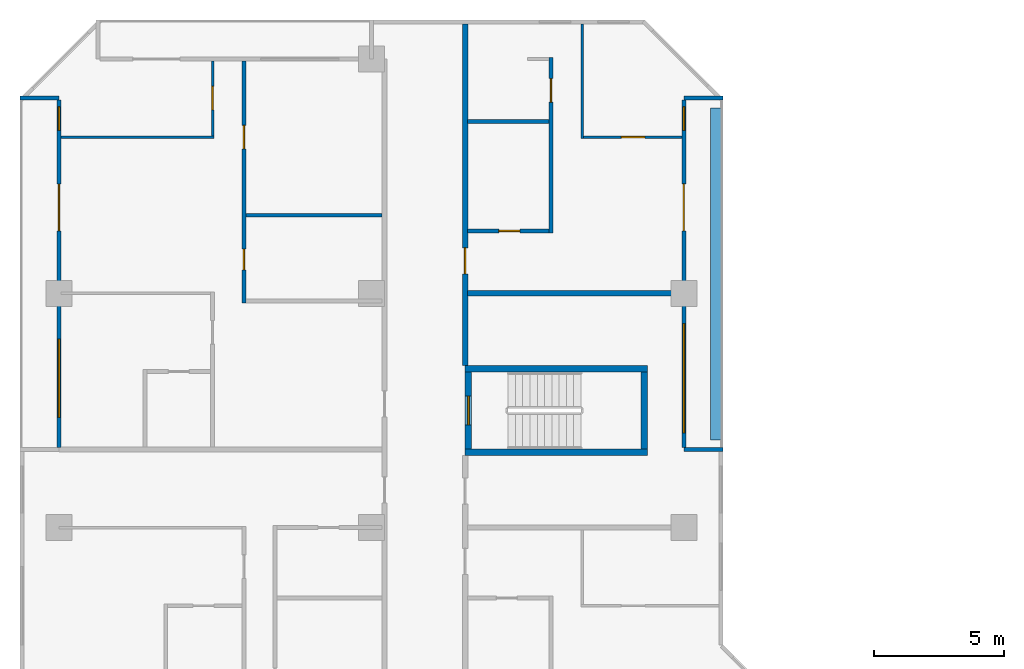
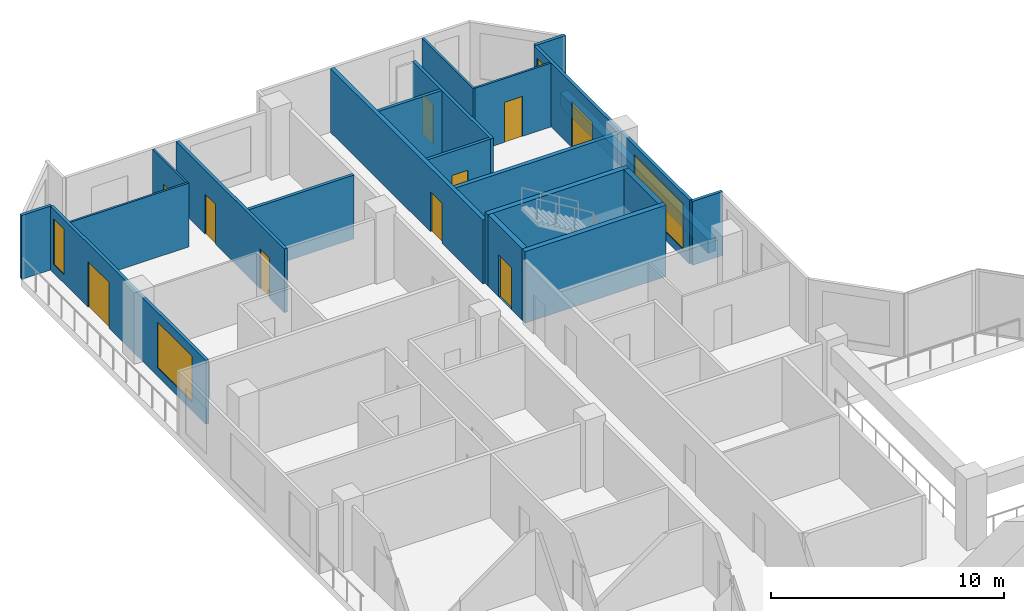
# One storey, part 10 of 14: 21 walls, 10 doors, 4 windows, 14 openings.
"""IFC4 building model written with IfcOpenShell, lengths in metres."""

from ifc_helpers import new_model, si_unit, direction, frame, frame_2d, origin, place, context, subcontext, project, spatial, rectangle, extrude, material, layer, layer_set, type_object, element, fill, save


model = new_model("IFC4")

# Units and contexts
model_context = context("Model", 3, precision=1e-05, world=origin(), true_north=direction((0.0, 1.0)))
body_context = subcontext(model_context, "Body", "Model", "MODEL_VIEW")
ifc_project = project(units=[si_unit("LENGTHUNIT", "METRE"), si_unit("AREAUNIT", "SQUARE_METRE"), si_unit("VOLUMEUNIT", "CUBIC_METRE"), si_unit("PLANEANGLEUNIT", "RADIAN"), si_unit("MASSUNIT", "GRAM", prefix="KILO")], contexts=[model_context])

# Site, building, storey
site_placement = place(None, origin())
site = spatial("IfcSite", under=ifc_project, at=site_placement, CompositionType="ELEMENT")
building_placement = place(site_placement, origin())
building = spatial("IfcBuilding", under=site, at=building_placement, Name="Chenar Terraces", CompositionType="ELEMENT")
storey_placement = place(building_placement, frame((0.0, 0.0, 110.64990234375)))
storey = spatial("IfcBuildingStorey", under=building, at=storey_placement, Name="L25", CompositionType="ELEMENT", Elevation=110.64990234375)

# Walls
ifc_material_1 = material(Name="Concrete C70/85", Category="concrete")
ifc_layer_1 = layer(ifc_material_1, 0.25)
ifc_layer_set_1 = layer_set([ifc_layer_1], Name="Concrete C70/85")
wall_type_1 = type_object("IfcWallType", Name="Core wall 250 Concrete C70/85", PredefinedType="SHEAR", material=ifc_layer_set_1)
for number, where, z_axis, x_axis, name in (
    (1, (15.60009765625, 47.89990234375, 0.0), (0.0, 0.0, 1.0), (1.0, 0.0, 0.0), "Core wall ST4_S L25"),
    (2, (15.60009765625, 51.10009765625, 0.0), (0.0, 0.0, 1.0), (1.0, 0.0, 0.0), "Core wall ST4_N L25"),
):
    element("IfcWall", number, at=place(storey_placement, frame(where, z_axis=z_axis, x_axis=x_axis)), inside=storey, type_object=wall_type_1, Name=name, PredefinedType="SHEAR", context=body_context, shape_type="SweptSolid", body=[
        extrude(rectangle(XDim=7.0, YDim=0.25, at=frame_2d((3.5, 0.0))), origin(), (0.0, 0.0, 1.0), 3.75),
    ])

# Wall, opening, door
wall_1_placement = place(storey_placement, frame((15.72509765625, 48.02490234375, 0.0), z_axis=(0.0, 0.0, 1.0), x_axis=(0.0, 1.0, 0.0)))
wall_1 = element("IfcWall", 3, at=wall_1_placement, inside=storey, type_object=wall_type_1, Name="Core wall ST4_W L25", PredefinedType="SHEAR", context=body_context, shape_type="SweptSolid", body=[
    extrude(rectangle(XDim=2.9501953125, YDim=0.25, at=frame_2d((1.47509765625, 0.0))), origin(), (0.0, 0.0, 1.0), 3.75),
])
opening_1_placement = place(wall_1_placement, frame((0.925048828125, 0.0, 0.0)))
opening_1 = element("IfcOpeningElement", 4, at=opening_1_placement, cuts=wall_1, Name="Opening DL25-C9", PredefinedType="OPENING", context=body_context, shape_type="SweptSolid", body=[
    extrude(rectangle(XDim=1.10009765625, YDim=2.199951171875, at=frame_2d((0.550048828125, 1.10009765625))), frame((0.0, 0.135009765625, 0.0), z_axis=(0.0, -1.0, 0.0), x_axis=(1.0, 0.0, 0.0)), (0.0, 0.0, 1.0), 0.27001953125),
])
ifc_material_2 = material(Name="Steel-framed fire-resisting door leaf", Category="steel")
door_type_1 = type_object("IfcDoorType", Name="Stair fire door FD60 1100 x 2200", OperationType="SINGLE_SWING_LEFT", PredefinedType="DOOR", material=ifc_material_2)
door_1_placement = place(opening_1_placement, frame((1.10009765625, 0.0, 0.0), z_axis=(0.0, 0.0, 1.0), x_axis=(-1.0, 0.0, 0.0)))
door_1 = element("IfcDoor", 5, at=door_1_placement, inside=storey, type_object=door_type_1, Name="Stair door DL25-C9", OperationType="SINGLE_SWING_RIGHT", OverallHeight=2.199951171875, OverallWidth=1.10009765625, PredefinedType="DOOR", context=body_context, shape_type="SweptSolid", body=[
    extrude(rectangle(XDim=1.10009765625, YDim=2.199951171875, at=frame_2d((0.550048828125, 1.10009765625))), frame((0.0, 0.02490234375, 0.0), z_axis=(0.0, -1.0, 0.0), x_axis=(1.0, 0.0, 0.0)), (0.0, 0.0, 1.0), 0.050048828125),
])
fill(opening_1, door_1)

# Wall
wall_2_placement = place(storey_placement, frame((22.47509765625, 48.02490234375, 0.0), z_axis=(0.0, 0.0, 1.0), x_axis=(0.0, 1.0, 0.0)))
element("IfcWall", 6, at=wall_2_placement, inside=storey, type_object=wall_type_1, Name="Core wall ST4_E L25", PredefinedType="SHEAR", context=body_context, shape_type="SweptSolid", body=[
    extrude(rectangle(XDim=2.9501953125, YDim=0.25, at=frame_2d((1.47509765625, 0.0))), origin(), (0.0, 0.0, 1.0), 3.75),
])

# Wall, opening, door
ifc_material_3 = material(Name="Gypsum board on steel studs with fire boards", Category="steel")
ifc_layer_2 = layer(ifc_material_3, 0.199951171875)
ifc_layer_set_2 = layer_set([ifc_layer_2], Name="Gypsum board on steel studs with fire boards")
wall_type_2 = type_object("IfcWallType", Name="Corridor wall 200", PredefinedType="PARTITIONING", material=ifc_layer_set_2)
wall_3_placement = place(storey_placement, frame((15.60009765625, 51.22509765625, 0.0), z_axis=(0.0, 0.0, 1.0), x_axis=(0.0, 1.0, 0.0)))
wall_3 = element("IfcWall", 7, at=wall_3_placement, inside=storey, type_object=wall_type_2, Name="Partition L25-037", PredefinedType="PARTITIONING", context=body_context, shape_type="SweptSolid", body=[
    extrude(rectangle(XDim=13.125, YDim=0.199951171875, at=frame_2d((6.5625, 0.0))), origin(), (0.0, 0.0, 1.0), 3.35009765625),
])
opening_2_placement = place(wall_3_placement, frame((3.52490234375, 0.0, 0.0)))
opening_2 = element("IfcOpeningElement", 8, at=opening_2_placement, cuts=wall_3, Name="Opening DL25-33", PredefinedType="OPENING", context=body_context, shape_type="SweptSolid", body=[
    extrude(rectangle(XDim=1.0, YDim=2.10009765625, at=frame_2d((0.5, 1.050048828125))), frame((0.0, 0.10986328125, 0.0), z_axis=(0.0, -1.0, 0.0), x_axis=(1.0, 0.0, 0.0)), (0.0, 0.0, 1.0), 0.219970703125),
])
ifc_material_4 = material(Name="Steel-framed fire-resisting door leaf", Category="steel")
door_type_2 = type_object("IfcDoorType", Name="Fire door FD30S 1000 x 2100", OperationType="SINGLE_SWING_LEFT", PredefinedType="DOOR", material=ifc_material_4)
door_2_placement = place(opening_2_placement, frame((1.0, 0.0, 0.0), z_axis=(0.0, 0.0, 1.0), x_axis=(-1.0, 0.0, 0.0)))
door_2 = element("IfcDoor", 9, at=door_2_placement, inside=storey, type_object=door_type_2, Name="Door DL25-33", OperationType="SINGLE_SWING_LEFT", OverallHeight=2.10009765625, OverallWidth=1.0, PredefinedType="DOOR", context=body_context, shape_type="SweptSolid", body=[
    extrude(rectangle(XDim=1.0, YDim=2.10009765625, at=frame_2d((0.5, 1.050048828125))), frame((0.0, 0.02490234375, 0.0), z_axis=(0.0, -1.0, 0.0), x_axis=(1.0, 0.0, 0.0)), (0.0, 0.0, 1.0), 0.050048828125),
])
fill(opening_2, door_2)

# Wall, openings, windows, door
ifc_material_5 = material(Name="Aluminium framed glazing", Category="aluminium")
ifc_layer_3 = layer(ifc_material_5, 0.14990234375)
ifc_layer_set_3 = layer_set([ifc_layer_3], Name="Aluminium framed glazing")
wall_type_3 = type_object("IfcWallType", Name="Glazed loggia back wall 150", PredefinedType="SOLIDWALL", material=ifc_layer_set_3)
wall_4_placement = place(storey_placement, frame((24.0, 48.074951171875, 0.0), z_axis=(0.0, 0.0, 1.0), x_axis=(0.0, 1.0, 0.0)))
wall_4 = element("IfcWall", 10, at=wall_4_placement, inside=storey, type_object=wall_type_3, Name="Glazed loggia back wall", PredefinedType="SOLIDWALL", context=body_context, shape_type="SweptSolid", body=[
    extrude(rectangle(XDim=13.35009765625, YDim=0.14990234375, at=frame_2d((6.675048828125, 0.0))), origin(), (0.0, 0.0, 1.0), 3.35009765625),
])
opening_3_placement = place(wall_4_placement, frame((0.5625, 0.0, 0.449951171875)))
opening_3 = element("IfcOpeningElement", 11, at=opening_3_placement, cuts=wall_4, Name="Opening W420x240", PredefinedType="OPENING", context=body_context, shape_type="SweptSolid", body=[
    extrude(rectangle(XDim=4.199951171875, YDim=2.39990234375, at=frame_2d((2.10009765625, 1.199951171875))), frame((0.0, 0.0849609375, 0.0), z_axis=(0.0, -1.0, 0.0), x_axis=(1.0, 0.0, 0.0)), (0.0, 0.0, 1.0), 0.169921875),
])
opening_4_placement = place(wall_4_placement, frame((8.324951171875, 0.0, 0.0)))
opening_4 = element("IfcOpeningElement", 12, at=opening_4_placement, cuts=wall_4, Name="Opening DL25-G2", PredefinedType="OPENING", context=body_context, shape_type="SweptSolid", body=[
    extrude(rectangle(XDim=1.800048828125, YDim=2.39990234375, at=frame_2d((0.89990234375, 1.199951171875))), frame((0.0, 0.0849609375, 0.0), z_axis=(0.0, -1.0, 0.0), x_axis=(1.0, 0.0, 0.0)), (0.0, 0.0, 1.0), 0.169921875),
])
opening_5_placement = place(wall_4_placement, frame((12.1875, 0.0, 0.449951171875)))
opening_5 = element("IfcOpeningElement", 13, at=opening_5_placement, cuts=wall_4, Name="Opening W90x240", PredefinedType="OPENING", context=body_context, shape_type="SweptSolid", body=[
    extrude(rectangle(XDim=0.89990234375, YDim=2.39990234375, at=frame_2d((0.449951171875, 1.199951171875))), frame((0.0, 0.0849609375, 0.0), z_axis=(0.0, -1.0, 0.0), x_axis=(1.0, 0.0, 0.0)), (0.0, 0.0, 1.0), 0.169921875),
])
ifc_material_6 = material(Name="Low emissivity double glazing, aluminium frame", Category="aluminium")
window_type_1 = type_object("IfcWindowType", Name="Fixed light 4200 x 2400", PartitioningType="SINGLE_PANEL", PredefinedType="WINDOW", material=ifc_material_6)
window_1_placement = place(opening_3_placement, origin())
window_1 = element("IfcWindow", 14, at=window_1_placement, inside=storey, type_object=window_type_1, Name="Window", OverallHeight=2.39990234375, OverallWidth=4.199951171875, PartitioningType="SINGLE_PANEL", PredefinedType="WINDOW", context=body_context, shape_type="SweptSolid", body=[
    extrude(rectangle(XDim=4.199951171875, YDim=2.39990234375, at=frame_2d((2.10009765625, 1.199951171875))), frame((0.0, 0.030029296875, 0.0), z_axis=(0.0, -1.0, 0.0), x_axis=(1.0, 0.0, 0.0)), (0.0, 0.0, 1.0), 0.06005859375),
])
fill(opening_3, window_1)
ifc_material_7 = material(Name="Low emissivity double glazing, aluminium frame", Category="aluminium")
window_type_2 = type_object("IfcWindowType", Name="Fixed light 900 x 2400", PartitioningType="SINGLE_PANEL", PredefinedType="WINDOW", material=ifc_material_7)
window_2_placement = place(opening_5_placement, origin())
window_2 = element("IfcWindow", 15, at=window_2_placement, inside=storey, type_object=window_type_2, Name="Window", OverallHeight=2.39990234375, OverallWidth=0.89990234375, PartitioningType="SINGLE_PANEL", PredefinedType="WINDOW", context=body_context, shape_type="SweptSolid", body=[
    extrude(rectangle(XDim=0.89990234375, YDim=2.39990234375, at=frame_2d((0.449951171875, 1.199951171875))), frame((0.0, 0.030029296875, 0.0), z_axis=(0.0, -1.0, 0.0), x_axis=(1.0, 0.0, 0.0)), (0.0, 0.0, 1.0), 0.06005859375),
])
fill(opening_5, window_2)
ifc_material_8 = material(Name="Low emissivity double glazing, aluminium frame", Category="aluminium")
door_type_3 = type_object("IfcDoorType", Name="Loggia glazed double door 1800 x 2400", OperationType="DOUBLE_DOOR_SINGLE_SWING", PredefinedType="DOOR", material=ifc_material_8)
door_3_placement = place(opening_4_placement, frame((1.800048828125, 0.0, 0.0), z_axis=(0.0, 0.0, 1.0), x_axis=(-1.0, 0.0, 0.0)))
door_3 = element("IfcDoor", 16, at=door_3_placement, inside=storey, type_object=door_type_3, Name="Loggia glazed door", OperationType="DOUBLE_DOOR_SINGLE_SWING", OverallHeight=2.39990234375, OverallWidth=1.800048828125, PredefinedType="DOOR", context=body_context, shape_type="SweptSolid", body=[
    extrude(rectangle(XDim=1.800048828125, YDim=2.39990234375, at=frame_2d((0.89990234375, 1.199951171875))), frame((0.0, 0.02490234375, 0.0), z_axis=(0.0, -1.0, 0.0), x_axis=(1.0, 0.0, 0.0)), (0.0, 0.0, 1.0), 0.050048828125),
])
fill(opening_4, door_3)

wall_5_placement = place(storey_placement, frame((0.0, 61.425048828125, 0.0), z_axis=(0.0, 0.0, 1.0), x_axis=(0.0, -1.0, 0.0)))
wall_5 = element("IfcWall", 17, at=wall_5_placement, inside=storey, type_object=wall_type_3, Name="Glazed loggia back wall", PredefinedType="SOLIDWALL", context=body_context, shape_type="SweptSolid", body=[
    extrude(rectangle(XDim=13.35009765625, YDim=0.14990234375, at=frame_2d((6.675048828125, 0.0))), origin(), (0.0, 0.0, 1.0), 3.35009765625),
])
opening_6_placement = place(wall_5_placement, frame((0.262451171875, 0.0, 0.449951171875)))
opening_6 = element("IfcOpeningElement", 18, at=opening_6_placement, cuts=wall_5, Name="Opening W90x240", PredefinedType="OPENING", context=body_context, shape_type="SweptSolid", body=[
    extrude(rectangle(XDim=0.89990234375, YDim=2.39990234375, at=frame_2d((0.449951171875, 1.199951171875))), frame((0.0, 0.0849609375, 0.0), z_axis=(0.0, -1.0, 0.0), x_axis=(1.0, 0.0, 0.0)), (0.0, 0.0, 1.0), 0.169921875),
])
opening_7_placement = place(wall_5_placement, frame((3.22509765625, 0.0, 0.0)))
opening_7 = element("IfcOpeningElement", 19, at=opening_7_placement, cuts=wall_5, Name="Opening DL25-G4", PredefinedType="OPENING", context=body_context, shape_type="SweptSolid", body=[
    extrude(rectangle(XDim=1.800048828125, YDim=2.39990234375, at=frame_2d((0.89990234375, 1.199951171875))), frame((0.0, 0.0849609375, 0.0), z_axis=(0.0, -1.0, 0.0), x_axis=(1.0, 0.0, 0.0)), (0.0, 0.0, 1.0), 0.169921875),
])
opening_8_placement = place(wall_5_placement, frame((9.1875, 0.0, 0.449951171875)))
opening_8 = element("IfcOpeningElement", 20, at=opening_8_placement, cuts=wall_5, Name="Opening W300x240", PredefinedType="OPENING", context=body_context, shape_type="SweptSolid", body=[
    extrude(rectangle(XDim=3.0, YDim=2.39990234375, at=frame_2d((1.5, 1.199951171875))), frame((0.0, 0.0849609375, 0.0), z_axis=(0.0, -1.0, 0.0), x_axis=(1.0, 0.0, 0.0)), (0.0, 0.0, 1.0), 0.169921875),
])
ifc_material_9 = material(Name="Low emissivity double glazing, aluminium frame", Category="aluminium")
window_type_3 = type_object("IfcWindowType", Name="Fixed light 3000 x 2400", PartitioningType="SINGLE_PANEL", PredefinedType="WINDOW", material=ifc_material_9)
window_3_placement = place(opening_8_placement, origin())
window_3 = element("IfcWindow", 21, at=window_3_placement, inside=storey, type_object=window_type_3, Name="Window", OverallHeight=2.39990234375, OverallWidth=3.0, PartitioningType="SINGLE_PANEL", PredefinedType="WINDOW", context=body_context, shape_type="SweptSolid", body=[
    extrude(rectangle(XDim=3.0, YDim=2.39990234375, at=frame_2d((1.5, 1.199951171875))), frame((0.0, 0.030029296875, 0.0), z_axis=(0.0, -1.0, 0.0), x_axis=(1.0, 0.0, 0.0)), (0.0, 0.0, 1.0), 0.06005859375),
])
fill(opening_8, window_3)
window_4_placement = place(opening_6_placement, origin())
window_4 = element("IfcWindow", 22, at=window_4_placement, inside=storey, type_object=window_type_2, Name="Window", OverallHeight=2.39990234375, OverallWidth=0.89990234375, PartitioningType="SINGLE_PANEL", PredefinedType="WINDOW", context=body_context, shape_type="SweptSolid", body=[
    extrude(rectangle(XDim=0.89990234375, YDim=2.39990234375, at=frame_2d((0.449951171875, 1.199951171875))), frame((0.0, 0.030029296875, 0.0), z_axis=(0.0, -1.0, 0.0), x_axis=(1.0, 0.0, 0.0)), (0.0, 0.0, 1.0), 0.06005859375),
])
fill(opening_6, window_4)
door_4_placement = place(opening_7_placement, frame((1.800048828125, 0.0, 0.0), z_axis=(0.0, 0.0, 1.0), x_axis=(-1.0, 0.0, 0.0)))
door_4 = element("IfcDoor", 23, at=door_4_placement, inside=storey, type_object=door_type_3, Name="Loggia glazed door", OperationType="DOUBLE_DOOR_SINGLE_SWING", OverallHeight=2.39990234375, OverallWidth=1.800048828125, PredefinedType="DOOR", context=body_context, shape_type="SweptSolid", body=[
    extrude(rectangle(XDim=1.800048828125, YDim=2.39990234375, at=frame_2d((0.89990234375, 1.199951171875))), frame((0.0, 0.02490234375, 0.0), z_axis=(0.0, -1.0, 0.0), x_axis=(1.0, 0.0, 0.0)), (0.0, 0.0, 1.0), 0.050048828125),
])
fill(opening_7, door_4)

# Wall
ifc_material_10 = material(Name="Gypsum board on steel studs", Category="steel")
ifc_layer_4 = layer(ifc_material_10, 0.10009765625)
ifc_layer_set_4 = layer_set([ifc_layer_4], Name="Gypsum board on steel studs")
wall_type_4 = type_object("IfcWallType", Name="Gypsum partition 100", PredefinedType="PARTITIONING", material=ifc_layer_set_4)
wall_6_placement = place(storey_placement, frame((0.073974609375, 60.0, 0.0), z_axis=(0.0, 0.0, 1.0), x_axis=(1.0, 0.0, 0.0)))
element("IfcWall", 24, at=wall_6_placement, inside=storey, type_object=wall_type_4, Name="Partition L25-009", PredefinedType="PARTITIONING", context=body_context, shape_type="SweptSolid", body=[
    extrude(rectangle(XDim=5.8759765625, YDim=0.10009765625, at=frame_2d((2.93798828125, 0.0))), origin(), (0.0, 0.0, 1.0), 3.35009765625),
])

# Wall, opening, door
wall_7_placement = place(storey_placement, frame((5.89990234375, 60.050048828125, 0.0), z_axis=(0.0, 0.0, 1.0), x_axis=(0.0, 1.0, 0.0)))
wall_7 = element("IfcWall", 25, at=wall_7_placement, inside=storey, type_object=wall_type_4, Name="Partition L25-019", PredefinedType="PARTITIONING", context=body_context, shape_type="SweptSolid", body=[
    extrude(rectangle(XDim=2.8759765625, YDim=0.10009765625, at=frame_2d((1.43798828125, 0.0))), origin(), (0.0, 0.0, 1.0), 3.35009765625),
])
opening_9_placement = place(wall_7_placement, frame((1.0, 0.0, 0.0)))
opening_9 = element("IfcOpeningElement", 26, at=opening_9_placement, cuts=wall_7, Name="Opening DL25-41", PredefinedType="OPENING", context=body_context, shape_type="SweptSolid", body=[
    extrude(rectangle(XDim=0.89990234375, YDim=2.10009765625, at=frame_2d((0.449951171875, 1.050048828125))), frame((0.0, 0.06005859375, 0.0), z_axis=(0.0, -1.0, 0.0), x_axis=(1.0, 0.0, 0.0)), (0.0, 0.0, 1.0), 0.1201171875),
])
ifc_material_11 = material(Name="Veneered timber door leaf", Category="wood")
door_type_4 = type_object("IfcDoorType", Name="Door 900 x 2100", OperationType="SINGLE_SWING_LEFT", PredefinedType="DOOR", material=ifc_material_11)
door_5_placement = place(opening_9_placement, origin())
door_5 = element("IfcDoor", 27, at=door_5_placement, inside=storey, type_object=door_type_4, Name="Door DL25-41", OperationType="SINGLE_SWING_RIGHT", OverallHeight=2.10009765625, OverallWidth=0.89990234375, PredefinedType="DOOR", context=body_context, shape_type="SweptSolid", body=[
    extrude(rectangle(XDim=0.89990234375, YDim=2.10009765625, at=frame_2d((0.449951171875, 1.050048828125))), frame((0.0, 0.02490234375, 0.0), z_axis=(0.0, -1.0, 0.0), x_axis=(1.0, 0.0, 0.0)), (0.0, 0.0, 1.0), 0.050048828125),
])
fill(opening_9, door_5)

# Wall
wall_8_placement = place(storey_placement, frame((20.10009765625, 59.949951171875, 0.0), z_axis=(0.0, 0.0, 1.0), x_axis=(0.0, 1.0, 0.0)))
element("IfcWall", 28, at=wall_8_placement, inside=storey, type_object=wall_type_4, Name="Partition L25-054", PredefinedType="PARTITIONING", context=body_context, shape_type="SweptSolid", body=[
    extrude(rectangle(XDim=4.401123046875, YDim=0.10009765625, at=frame_2d((2.20068359375, 0.0))), origin(), (0.0, 0.0, 1.0), 3.35009765625),
])

# Wall, opening, door
wall_9_placement = place(storey_placement, frame((20.14990234375, 60.0, 0.0), z_axis=(0.0, 0.0, 1.0), x_axis=(1.0, 0.0, 0.0)))
wall_9 = element("IfcWall", 29, at=wall_9_placement, inside=storey, type_object=wall_type_4, Name="Partition L25-055", PredefinedType="PARTITIONING", context=body_context, shape_type="SweptSolid", body=[
    extrude(rectangle(XDim=3.776123046875, YDim=0.10009765625, at=frame_2d((1.88818359375, 0.0))), origin(), (0.0, 0.0, 1.0), 3.35009765625),
])
opening_10_placement = place(wall_9_placement, frame((1.449951171875, 0.0, 0.0)))
opening_10 = element("IfcOpeningElement", 30, at=opening_10_placement, cuts=wall_9, Name="Opening DL25-31", PredefinedType="OPENING", context=body_context, shape_type="SweptSolid", body=[
    extrude(rectangle(XDim=0.89990234375, YDim=2.10009765625, at=frame_2d((0.449951171875, 1.050048828125))), frame((0.0, 0.06005859375, 0.0), z_axis=(0.0, -1.0, 0.0), x_axis=(1.0, 0.0, 0.0)), (0.0, 0.0, 1.0), 0.1201171875),
])
door_6_placement = place(opening_10_placement, origin())
door_6 = element("IfcDoor", 31, at=door_6_placement, inside=storey, type_object=door_type_4, Name="Door DL25-31", OperationType="SINGLE_SWING_RIGHT", OverallHeight=2.10009765625, OverallWidth=0.89990234375, PredefinedType="DOOR", context=body_context, shape_type="SweptSolid", body=[
    extrude(rectangle(XDim=0.89990234375, YDim=2.10009765625, at=frame_2d((0.449951171875, 1.050048828125))), frame((0.0, 0.02490234375, 0.0), z_axis=(0.0, -1.0, 0.0), x_axis=(1.0, 0.0, 0.0)), (0.0, 0.0, 1.0), 0.050048828125),
])
fill(opening_10, door_6)

# Walls
ifc_material_12 = material(Name="Terracotta cladding on insulated backing", Category="masonry")
ifc_layer_5 = layer(ifc_material_12, 0.14990234375)
ifc_layer_set_5 = layer_set([ifc_layer_5], Name="Terracotta cladding on insulated backing")
wall_type_5 = type_object("IfcWallType", Name="Loggia return wall 150", PredefinedType="SOLIDWALL", material=ifc_layer_set_5)
for number, where, z_axis, x_axis, name in (
    (32, (25.5, 48.0, 0.0), (0.0, 0.0, 1.0), (-1.0, 0.0, 0.0), "Loggia return wall"),
    (33, (25.5, 61.5, 0.0), (0.0, 0.0, 1.0), (-1.0, 0.0, 0.0), "Loggia return wall"),
    (34, (-1.5, 61.5, 0.0), (0.0, 0.0, 1.0), (1.0, 0.0, 0.0), "Loggia return wall"),
):
    element("IfcWall", number, at=place(storey_placement, frame(where, z_axis=z_axis, x_axis=x_axis)), inside=storey, type_object=wall_type_5, Name=name, PredefinedType="SOLIDWALL", context=body_context, shape_type="SweptSolid", body=[
        extrude(rectangle(XDim=1.5, YDim=0.14990234375, at=frame_2d((0.75, 0.0))), origin(), (0.0, 0.0, 1.0), 3.35009765625),
    ])
ifc_material_13 = material(Name="Twin gypsum board on steel studs with mineral wool", Category="steel")
ifc_layer_6 = layer(ifc_material_13, 0.199951171875)
ifc_layer_set_6 = layer_set([ifc_layer_6], Name="Twin gypsum board on steel studs with mineral wool")
wall_type_6 = type_object("IfcWallType", Name="Unit demising wall 200", PredefinedType="PARTITIONING", material=ifc_layer_set_6)
wall_10_placement = place(storey_placement, frame((15.699951171875, 54.0, 0.0), z_axis=(0.0, 0.0, 1.0), x_axis=(1.0, 0.0, 0.0)))
element("IfcWall", 35, at=wall_10_placement, inside=storey, type_object=wall_type_6, Name="Partition L25-044", PredefinedType="PARTITIONING", context=body_context, shape_type="SweptSolid", body=[
    extrude(rectangle(XDim=8.22607421875, YDim=0.199951171875, at=frame_2d((4.113037109375, 0.0))), origin(), (0.0, 0.0, 1.0), 3.35009765625),
])
ifc_material_14 = material(Name="GRP planter trough")
ifc_layer_7 = layer(ifc_material_14, 0.39990234375)
ifc_layer_set_7 = layer_set([ifc_layer_7], Name="GRP planter trough")
wall_type_7 = type_object("IfcWallType", Name="Vertical greenery planter 400", PredefinedType="SOLIDWALL", material=ifc_layer_set_7)
wall_11_placement = place(storey_placement, frame((25.22900390625, 48.375, 0.0), z_axis=(0.0, 0.0, 1.0), x_axis=(0.0, 1.0, 0.0)))
element("IfcWall", 36, at=wall_11_placement, inside=storey, type_object=wall_type_7, Name="Vertical greenery planter", PredefinedType="SOLIDWALL", context=body_context, shape_type="SweptSolid", body=[
    extrude(rectangle(XDim=12.75, YDim=0.39990234375, at=frame_2d((6.375, 0.0))), origin(), (0.0, 0.0, 1.0), 0.7001953125),
])

# Wall, openings, doors
ifc_material_15 = material(Name="Moisture-resistant gypsum board on steel studs", Category="steel")
ifc_layer_8 = layer(ifc_material_15, 0.14990234375)
ifc_layer_set_8 = layer_set([ifc_layer_8], Name="Moisture-resistant gypsum board on steel studs")
wall_type_8 = type_object("IfcWallType", Name="Wet-room partition 150", PredefinedType="PARTITIONING", material=ifc_layer_set_8)
wall_12_placement = place(storey_placement, frame((7.10009765625, 53.625, 0.0), z_axis=(0.0, 0.0, 1.0), x_axis=(0.0, 1.0, 0.0)))
wall_12 = element("IfcWall", 37, at=wall_12_placement, inside=storey, type_object=wall_type_8, Name="Partition L25-022", PredefinedType="PARTITIONING", context=body_context, shape_type="SweptSolid", body=[
    extrude(rectangle(XDim=9.301025390625, YDim=0.14990234375, at=frame_2d((4.650390625, 0.0))), origin(), (0.0, 0.0, 1.0), 3.35009765625),
])
opening_11_placement = place(wall_12_placement, frame((1.27490234375, 0.0, 0.0)))
opening_11 = element("IfcOpeningElement", 38, at=opening_11_placement, cuts=wall_12, Name="Opening DL25-40", PredefinedType="OPENING", context=body_context, shape_type="SweptSolid", body=[
    extrude(rectangle(XDim=0.800048828125, YDim=2.10009765625, at=frame_2d((0.39990234375, 1.050048828125))), frame((0.0, 0.0849609375, 0.0), z_axis=(0.0, -1.0, 0.0), x_axis=(1.0, 0.0, 0.0)), (0.0, 0.0, 1.0), 0.169921875),
])
opening_12_placement = place(wall_12_placement, frame((5.925048828125, 0.0, 0.0)))
opening_12 = element("IfcOpeningElement", 39, at=opening_12_placement, cuts=wall_12, Name="Opening DL25-44", PredefinedType="OPENING", context=body_context, shape_type="SweptSolid", body=[
    extrude(rectangle(XDim=0.89990234375, YDim=2.10009765625, at=frame_2d((0.449951171875, 1.050048828125))), frame((0.0, 0.0849609375, 0.0), z_axis=(0.0, -1.0, 0.0), x_axis=(1.0, 0.0, 0.0)), (0.0, 0.0, 1.0), 0.169921875),
])
ifc_material_16 = material(Name="Veneered timber door leaf", Category="wood")
door_type_5 = type_object("IfcDoorType", Name="Door 800 x 2100", OperationType="SINGLE_SWING_LEFT", PredefinedType="DOOR", material=ifc_material_16)
door_7_placement = place(opening_11_placement, frame((0.800048828125, 0.0, 0.0), z_axis=(0.0, 0.0, 1.0), x_axis=(-1.0, 0.0, 0.0)))
door_7 = element("IfcDoor", 40, at=door_7_placement, inside=storey, type_object=door_type_5, Name="Door DL25-40", OperationType="SINGLE_SWING_RIGHT", OverallHeight=2.10009765625, OverallWidth=0.800048828125, PredefinedType="DOOR", context=body_context, shape_type="SweptSolid", body=[
    extrude(rectangle(XDim=0.800048828125, YDim=2.10009765625, at=frame_2d((0.39990234375, 1.050048828125))), frame((0.0, 0.02490234375, 0.0), z_axis=(0.0, -1.0, 0.0), x_axis=(1.0, 0.0, 0.0)), (0.0, 0.0, 1.0), 0.050048828125),
])
fill(opening_11, door_7)
door_8_placement = place(opening_12_placement, frame((0.89990234375, 0.0, 0.0), z_axis=(0.0, 0.0, 1.0), x_axis=(-1.0, 0.0, 0.0)))
door_8 = element("IfcDoor", 41, at=door_8_placement, inside=storey, type_object=door_type_4, Name="Door DL25-44", OperationType="SINGLE_SWING_RIGHT", OverallHeight=2.10009765625, OverallWidth=0.89990234375, PredefinedType="DOOR", context=body_context, shape_type="SweptSolid", body=[
    extrude(rectangle(XDim=0.89990234375, YDim=2.10009765625, at=frame_2d((0.449951171875, 1.050048828125))), frame((0.0, 0.02490234375, 0.0), z_axis=(0.0, -1.0, 0.0), x_axis=(1.0, 0.0, 0.0)), (0.0, 0.0, 1.0), 0.050048828125),
])
fill(opening_12, door_8)

# Wall
wall_13_placement = place(storey_placement, frame((7.175048828125, 57.0, 0.0), z_axis=(0.0, 0.0, 1.0), x_axis=(1.0, 0.0, 0.0)))
element("IfcWall", 42, at=wall_13_placement, inside=storey, type_object=wall_type_8, Name="Partition L25-026", PredefinedType="PARTITIONING", context=body_context, shape_type="SweptSolid", body=[
    extrude(rectangle(XDim=5.224853515625, YDim=0.14990234375, at=frame_2d((2.6123046875, 0.0))), origin(), (0.0, 0.0, 1.0), 3.35009765625),
])

# Wall, opening, door
wall_14_placement = place(storey_placement, frame((15.699951171875, 56.39990234375, 0.0), z_axis=(0.0, 0.0, 1.0), x_axis=(1.0, 0.0, 0.0)))
wall_14 = element("IfcWall", 43, at=wall_14_placement, inside=storey, type_object=wall_type_8, Name="Partition L25-045", PredefinedType="PARTITIONING", context=body_context, shape_type="SweptSolid", body=[
    extrude(rectangle(XDim=3.125, YDim=0.14990234375, at=frame_2d((1.5625, 0.0))), origin(), (0.0, 0.0, 1.0), 3.35009765625),
])
opening_13_placement = place(wall_14_placement, frame((1.199951171875, 0.0, 0.0)))
opening_13 = element("IfcOpeningElement", 44, at=opening_13_placement, cuts=wall_14, Name="Opening DL25-30", PredefinedType="OPENING", context=body_context, shape_type="SweptSolid", body=[
    extrude(rectangle(XDim=0.800048828125, YDim=2.10009765625, at=frame_2d((0.39990234375, 1.050048828125))), frame((0.0, 0.0849609375, 0.0), z_axis=(0.0, -1.0, 0.0), x_axis=(1.0, 0.0, 0.0)), (0.0, 0.0, 1.0), 0.169921875),
])
door_9_placement = place(opening_13_placement, origin())
door_9 = element("IfcDoor", 45, at=door_9_placement, inside=storey, type_object=door_type_5, Name="Door DL25-30", OperationType="SINGLE_SWING_RIGHT", OverallHeight=2.10009765625, OverallWidth=0.800048828125, PredefinedType="DOOR", context=body_context, shape_type="SweptSolid", body=[
    extrude(rectangle(XDim=0.800048828125, YDim=2.10009765625, at=frame_2d((0.39990234375, 1.050048828125))), frame((0.0, 0.02490234375, 0.0), z_axis=(0.0, -1.0, 0.0), x_axis=(1.0, 0.0, 0.0)), (0.0, 0.0, 1.0), 0.050048828125),
])
fill(opening_13, door_9)

# Wall
wall_15_placement = place(storey_placement, frame((15.699951171875, 60.60009765625, 0.0), z_axis=(0.0, 0.0, 1.0), x_axis=(1.0, 0.0, 0.0)))
element("IfcWall", 46, at=wall_15_placement, inside=storey, type_object=wall_type_8, Name="Partition L25-046", PredefinedType="PARTITIONING", context=body_context, shape_type="SweptSolid", body=[
    extrude(rectangle(XDim=3.125, YDim=0.14990234375, at=frame_2d((1.5625, 0.0))), origin(), (0.0, 0.0, 1.0), 3.35009765625),
])

# Wall, opening, door
wall_16_placement = place(storey_placement, frame((18.89990234375, 56.324951171875, 0.0), z_axis=(0.0, 0.0, 1.0), x_axis=(0.0, 1.0, 0.0)))
wall_16 = element("IfcWall", 47, at=wall_16_placement, inside=storey, type_object=wall_type_8, Name="Partition L25-051", PredefinedType="PARTITIONING", context=body_context, shape_type="SweptSolid", body=[
    extrude(rectangle(XDim=6.72509765625, YDim=0.14990234375, at=frame_2d((3.362548828125, 0.0))), origin(), (0.0, 0.0, 1.0), 3.35009765625),
])
opening_14_placement = place(wall_16_placement, frame((5.02490234375, 0.0, 0.0)))
opening_14 = element("IfcOpeningElement", 48, at=opening_14_placement, cuts=wall_16, Name="Opening DL25-32", PredefinedType="OPENING", context=body_context, shape_type="SweptSolid", body=[
    extrude(rectangle(XDim=0.89990234375, YDim=2.10009765625, at=frame_2d((0.449951171875, 1.050048828125))), frame((0.0, 0.0849609375, 0.0), z_axis=(0.0, -1.0, 0.0), x_axis=(1.0, 0.0, 0.0)), (0.0, 0.0, 1.0), 0.169921875),
])
door_10_placement = place(opening_14_placement, origin())
door_10 = element("IfcDoor", 49, at=door_10_placement, inside=storey, type_object=door_type_4, Name="Door DL25-32", OperationType="SINGLE_SWING_RIGHT", OverallHeight=2.10009765625, OverallWidth=0.89990234375, PredefinedType="DOOR", context=body_context, shape_type="SweptSolid", body=[
    extrude(rectangle(XDim=0.89990234375, YDim=2.10009765625, at=frame_2d((0.449951171875, 1.050048828125))), frame((0.0, 0.02490234375, 0.0), z_axis=(0.0, -1.0, 0.0), x_axis=(1.0, 0.0, 0.0)), (0.0, 0.0, 1.0), 0.050048828125),
])
fill(opening_14, door_10)

save(model, "model.ifc")
